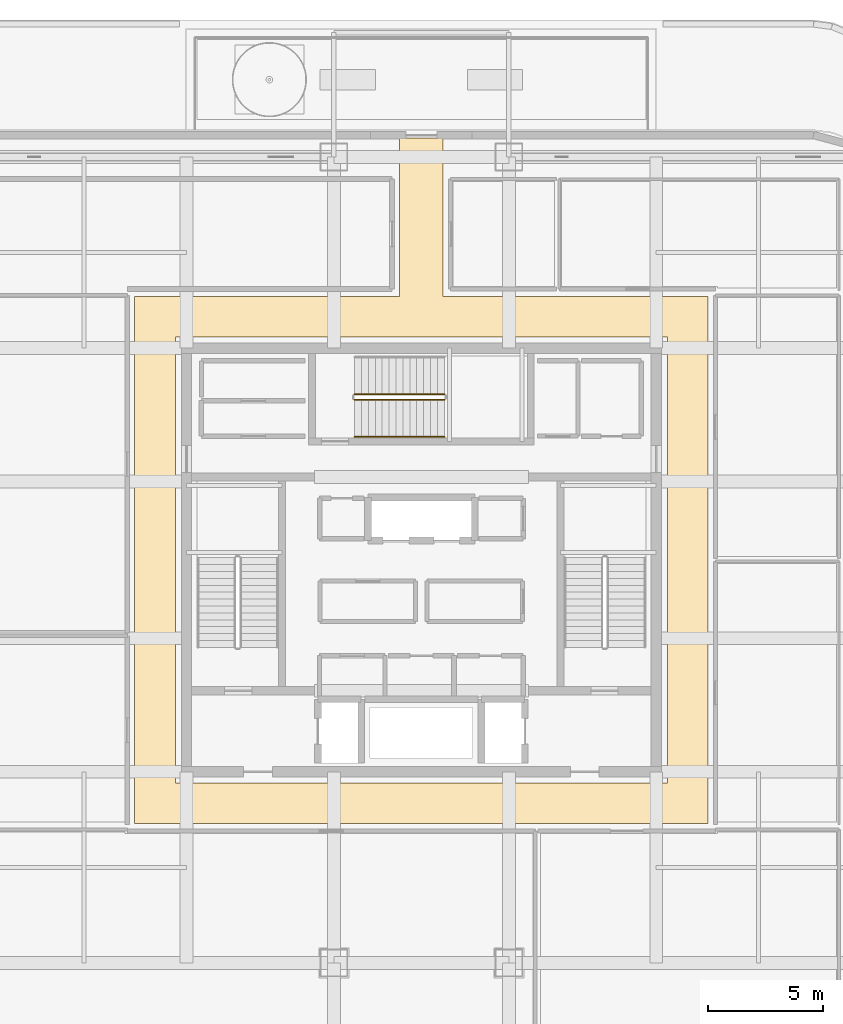
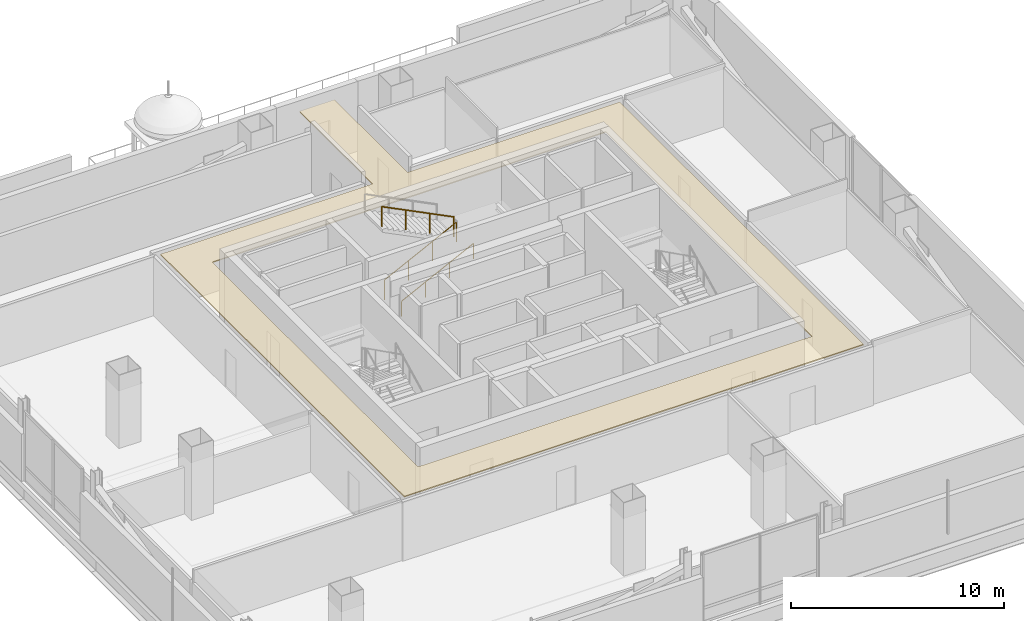
# One storey, part 22 of 28: 3 railings, 1 covering.
"""IFC4 building model written with IfcOpenShell, lengths in metres."""

from ifc_helpers import new_model, si_unit, direction, frame, origin, origin_2d, place, context, subcontext, project, spatial, polyline, circle, outline, extrude, material, layer, layer_set, type_object, element, save


model = new_model("IFC4")

# Units and contexts
model_context = context("Model", 3, precision=1e-05, world=origin(), true_north=direction((0.0, 1.0)))
body_context = subcontext(model_context, "Body", "Model", "MODEL_VIEW")
ifc_project = project(units=[si_unit("LENGTHUNIT", "METRE"), si_unit("AREAUNIT", "SQUARE_METRE"), si_unit("VOLUMEUNIT", "CUBIC_METRE"), si_unit("PLANEANGLEUNIT", "RADIAN"), si_unit("MASSUNIT", "GRAM", prefix="KILO")], contexts=[model_context])

# Site, building, storey
site_placement = place(None, origin())
site = spatial("IfcSite", under=ifc_project, at=site_placement, CompositionType="ELEMENT")
building_placement = place(site_placement, origin())
building = spatial("IfcBuilding", under=site, at=building_placement, Name="Punatoya Terracotta Tower", CompositionType="ELEMENT")
storey_placement = place(building_placement, frame((0.0, 0.0, 317.39990234375)))
storey = spatial("IfcBuildingStorey", under=building, at=storey_placement, Name="L75", CompositionType="ELEMENT", Elevation=317.39990234375)

# Covering
ifc_material_1 = material(Name="Acoustic Mineral Fibre Ceiling")
ifc_layer = layer(ifc_material_1, 0.06005859375)
ifc_layer_set = layer_set([ifc_layer], Name="Acoustic Mineral Fibre Ceiling")
covering_type = type_object("IfcCoveringType", Name="COV-CEIL-60", PredefinedType="CEILING", material=ifc_layer_set)
covering_placement = place(storey_placement, frame((0.0, 0.0, 3.31005859375)))
element("IfcCovering", 1, at=covering_placement, inside=storey, type_object=covering_type, Name="L75 Executive Circulation Corridor Acoustic Ceiling", PredefinedType="CEILING", context=body_context, shape_type="SweptSolid", body=[
    extrude(outline(polyline([(12.449951171875, 11.449951171875), (0.949951171875, 11.449951171875), (0.949951171875, 18.330078125), (-0.949951171875, 18.330078125), (-0.949951171875, 11.449951171875), (-12.449951171875, 11.449951171875), (-12.449951171875, -11.449951171875), (12.449951171875, -11.449951171875), (12.449951171875, 11.449951171875)]), holes=[polyline([(-10.679931640625, 9.679931640625), (10.679931640625, 9.679931640625), (10.679931640625, -9.679931640625), (-10.679931640625, -9.679931640625), (-10.679931640625, 9.679931640625)])]), origin(), (0.0, 0.0, 1.0), 0.06005859375),
])

# Railings
ifc_material_2 = material(Name="Steel S355", Category="steel")
railing_type_1 = type_object("IfcRailingType", Name="RLG-GRD-1150", PredefinedType="GUARDRAIL", material=ifc_material_2)
railing_1_placement = place(storey_placement, frame((-2.89990234375, 6.949951171875, 0.150146484375)))
element("IfcRailing", 2, at=railing_1_placement, inside=storey, type_object=railing_type_1, Name="L75 ST-3 stair guard 1", PredefinedType="GUARDRAIL", context=body_context, shape_type="SweptSolid", body=[
    extrude(circle(Radius=0.02392578125, at=origin_2d()), frame((0.0, 0.0, 1.1259765625), z_axis=(0.894427191, 0.0, 0.4472135955), x_axis=(0.0, 1.0, 0.0)), (0.0, 0.0, 1.0), 4.360107421875),
    extrude(circle(Radius=0.02099609375, at=origin_2d()), origin(), (0.0, 0.0, 1.0), 1.101806640625),
    extrude(circle(Radius=0.02099609375, at=origin_2d()), frame((1.300048828125, 0.0, 0.64990234375)), (0.0, 0.0, 1.0), 1.101806640625),
    extrude(circle(Radius=0.02099609375, at=origin_2d()), frame((2.599853515625, 0.0, 1.300048828125)), (0.0, 0.0, 1.0), 1.101806640625),
    extrude(circle(Radius=0.02099609375, at=origin_2d()), frame((3.89990234375, 0.0, 1.949951171875)), (0.0, 0.0, 1.0), 1.101806640625),
])
railing_2_placement = place(storey_placement, frame((1.0, 7.199951171875, 2.25)))
element("IfcRailing", 3, at=railing_2_placement, inside=storey, type_object=railing_type_1, Name="L75 ST-3 stair guard 3", PredefinedType="GUARDRAIL", context=body_context, shape_type="SweptSolid", body=[
    extrude(circle(Radius=0.02392578125, at=origin_2d()), frame((0.0, 0.0, 1.1259765625), z_axis=(-0.894404793364, 0.0, 0.447258387967), x_axis=(0.0, -1.0, 0.0)), (0.0, 0.0, 1.0), 4.3603515625),
    extrude(circle(Radius=0.02099609375, at=origin_2d()), origin(), (0.0, 0.0, 1.0), 1.101806640625),
    extrude(circle(Radius=0.02099609375, at=origin_2d()), frame((-1.300048828125, 0.0, 0.650146484375)), (0.0, 0.0, 1.0), 1.101806640625),
    extrude(circle(Radius=0.02099609375, at=origin_2d()), frame((-2.599853515625, 0.0, 1.300048828125)), (0.0, 0.0, 1.0), 1.101806640625),
    extrude(circle(Radius=0.02099609375, at=origin_2d()), frame((-3.89990234375, 0.0, 1.9501953125)), (0.0, 0.0, 1.0), 1.101806640625),
])
railing_type_2 = type_object("IfcRailingType", Name="RLG-HND-900", PredefinedType="HANDRAIL", material=ifc_material_2)
railing_3_placement = place(storey_placement, frame((-2.89990234375, 5.35009765625, 0.150146484375)))
element("IfcRailing", 4, at=railing_3_placement, inside=storey, type_object=railing_type_2, Name="L75 ST-3 stair handrail 1", PredefinedType="HANDRAIL", context=body_context, shape_type="SweptSolid", body=[
    extrude(circle(Radius=0.02392578125, at=origin_2d()), frame((0.0, 0.0, 0.8759765625), z_axis=(0.894427191, 0.0, 0.4472135955), x_axis=(0.0, 1.0, 0.0)), (0.0, 0.0, 1.0), 4.360107421875),
    extrude(circle(Radius=0.02099609375, at=origin_2d()), origin(), (0.0, 0.0, 1.0), 0.851806640625),
    extrude(circle(Radius=0.02099609375, at=origin_2d()), frame((1.300048828125, 0.0, 0.64990234375)), (0.0, 0.0, 1.0), 0.851806640625),
    extrude(circle(Radius=0.02099609375, at=origin_2d()), frame((2.599853515625, 0.0, 1.300048828125)), (0.0, 0.0, 1.0), 0.851806640625),
    extrude(circle(Radius=0.02099609375, at=origin_2d()), frame((3.89990234375, 0.0, 1.949951171875)), (0.0, 0.0, 1.0), 0.851806640625),
])

save(model, "model.ifc")
